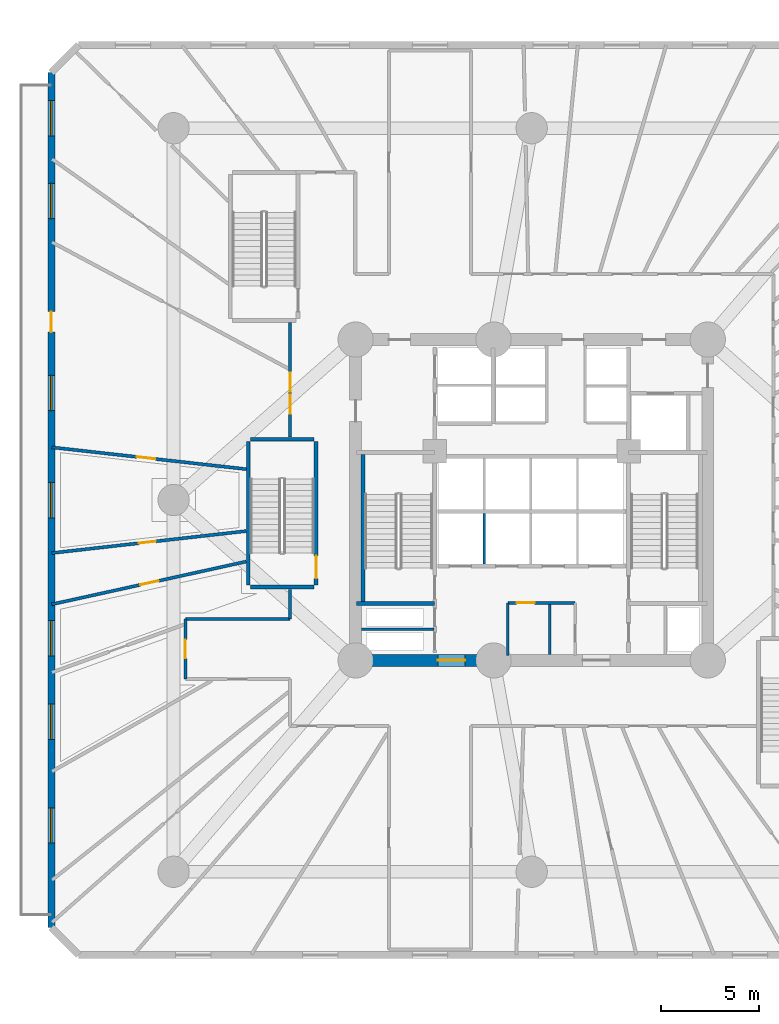
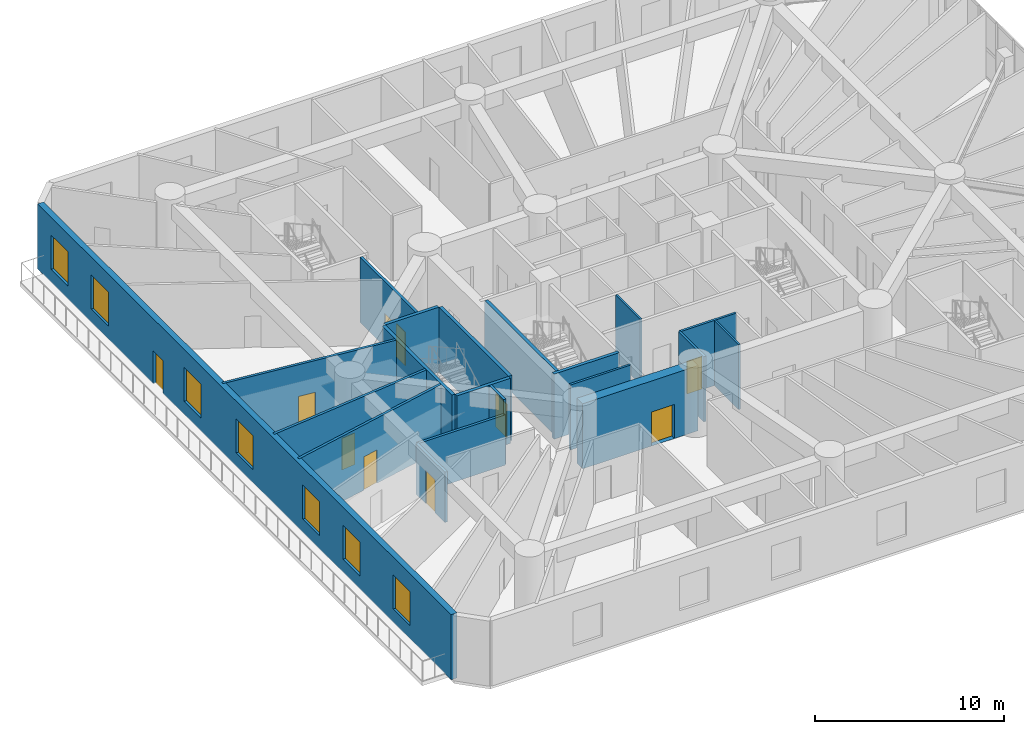
# One storey, part 14 of 26: 20 walls, 10 doors, 7 windows, 17 openings.
"""IFC4 building model written with IfcOpenShell, lengths in metres."""

from ifc_helpers import new_model, si_unit, direction, frame, frame_2d, origin, origin_with_axes, place, context, subcontext, project, spatial, rectangle, extrude, source, transform, mapped, material, layer, layer_set, type_object, element, fill, save


model = new_model("IFC4")

# Units and contexts
model_context = context("Model", 3, precision=1e-05, world=origin(), true_north=direction((0.0, 1.0)))
body_context = subcontext(model_context, "Body", "Model", "MODEL_VIEW")
ifc_project = project(units=[si_unit("LENGTHUNIT", "METRE"), si_unit("AREAUNIT", "SQUARE_METRE"), si_unit("VOLUMEUNIT", "CUBIC_METRE"), si_unit("PLANEANGLEUNIT", "RADIAN"), si_unit("MASSUNIT", "GRAM", prefix="KILO")], contexts=[model_context])

# Site, building, storey
site_placement = place(None, origin())
site = spatial("IfcSite", under=ifc_project, at=site_placement, CompositionType="ELEMENT")
building_placement = place(site_placement, origin())
building = spatial("IfcBuilding", under=site, at=building_placement, Name="Karkom Vertical University and Central Library", CompositionType="ELEMENT")
storey_placement = place(building_placement, frame((0.0, 0.0, 9.0)))
storey = spatial("IfcBuildingStorey", under=building, at=storey_placement, Name="L02", CompositionType="ELEMENT", Elevation=9.0)

# Wall, openings, windows, door
ifc_material_1 = material(Name="Brick masonry 360mm insulated cavity", Category="masonry")
ifc_layer_1 = layer(ifc_material_1, 0.360107421875)
ifc_layer_set_1 = layer_set([ifc_layer_1], Name="Brick masonry 360mm insulated cavity")
wall_type_1 = type_object("IfcWallType", Name="ENV-WL-BRK-360", PredefinedType="SOLIDWALL", material=ifc_layer_set_1)
wall_1_placement = place(storey_placement, frame((3.949951171875, 48.35009765625, 0.0), z_axis=(0.0, 0.0, 1.0), x_axis=(0.0, -1.0, 0.0)))
wall_1 = element("IfcWall", 1, at=wall_1_placement, inside=storey, type_object=wall_type_1, Name="Level 02 POD Terracotta Brick Facade Wall 07", PredefinedType="SOLIDWALL", context=body_context, shape_type="SweptSolid", body=[
    extrude(rectangle(XDim=43.7001953125, YDim=0.360107421875, at=frame_2d((21.85009765625, 0.0))), origin(), (0.0, 0.0, 1.0), 4.199951171875),
])
opening_1_placement = place(wall_1_placement, frame((1.43896484375, 0.0, 0.85009765625)))
opening_1 = element("IfcOpeningElement", 2, at=opening_1_placement, cuts=wall_1, Name="Opening WN-01", PredefinedType="OPENING", context=body_context, shape_type="SweptSolid", body=[
    extrude(rectangle(XDim=1.800048828125, YDim=2.199951171875, at=frame_2d((0.89990234375, 1.10009765625))), frame((0.0, 0.18994140625, 0.0), z_axis=(0.0, -1.0, 0.0), x_axis=(1.0, 0.0, 0.0)), (0.0, 0.0, 1.0), 0.380126953125),
])
opening_2_placement = place(wall_1_placement, frame((5.66943359375, 0.0, 0.85009765625)))
opening_2 = element("IfcOpeningElement", 3, at=opening_2_placement, cuts=wall_1, Name="Opening WN-01", PredefinedType="OPENING", context=body_context, shape_type="SweptSolid", body=[
    extrude(rectangle(XDim=1.800048828125, YDim=2.199951171875, at=frame_2d((0.89990234375, 1.10009765625))), frame((0.0, 0.18994140625, 0.0), z_axis=(0.0, -1.0, 0.0), x_axis=(1.0, 0.0, 0.0)), (0.0, 0.0, 1.0), 0.380126953125),
])
opening_3_placement = place(wall_1_placement, frame((15.485107421875, 0.0, 0.85009765625)))
opening_3 = element("IfcOpeningElement", 4, at=opening_3_placement, cuts=wall_1, Name="Opening WN-01", PredefinedType="OPENING", context=body_context, shape_type="SweptSolid", body=[
    extrude(rectangle(XDim=1.800048828125, YDim=2.199951171875, at=frame_2d((0.89990234375, 1.10009765625))), frame((0.0, 0.18994140625, 0.0), z_axis=(0.0, -1.0, 0.0), x_axis=(1.0, 0.0, 0.0)), (0.0, 0.0, 1.0), 0.380126953125),
])
opening_4_placement = place(wall_1_placement, frame((20.96044921875, 0.0, 0.85009765625)))
opening_4 = element("IfcOpeningElement", 5, at=opening_4_placement, cuts=wall_1, Name="Opening WN-01", PredefinedType="OPENING", context=body_context, shape_type="SweptSolid", body=[
    extrude(rectangle(XDim=1.800048828125, YDim=2.199951171875, at=frame_2d((0.89990234375, 1.10009765625))), frame((0.0, 0.18994140625, 0.0), z_axis=(0.0, -1.0, 0.0), x_axis=(1.0, 0.0, 0.0)), (0.0, 0.0, 1.0), 0.380126953125),
])
opening_5_placement = place(wall_1_placement, frame((28.012451171875, 0.0, 0.85009765625)))
opening_5 = element("IfcOpeningElement", 6, at=opening_5_placement, cuts=wall_1, Name="Opening WN-01", PredefinedType="OPENING", context=body_context, shape_type="SweptSolid", body=[
    extrude(rectangle(XDim=1.800048828125, YDim=2.199951171875, at=frame_2d((0.89990234375, 1.10009765625))), frame((0.0, 0.18994140625, 0.0), z_axis=(0.0, -1.0, 0.0), x_axis=(1.0, 0.0, 0.0)), (0.0, 0.0, 1.0), 0.380126953125),
])
opening_6_placement = place(wall_1_placement, frame((32.279296875, 0.0, 0.85009765625)))
opening_6 = element("IfcOpeningElement", 7, at=opening_6_placement, cuts=wall_1, Name="Opening WN-01", PredefinedType="OPENING", context=body_context, shape_type="SweptSolid", body=[
    extrude(rectangle(XDim=1.800048828125, YDim=2.199951171875, at=frame_2d((0.89990234375, 1.10009765625))), frame((0.0, 0.18994140625, 0.0), z_axis=(0.0, -1.0, 0.0), x_axis=(1.0, 0.0, 0.0)), (0.0, 0.0, 1.0), 0.380126953125),
])
opening_7_placement = place(wall_1_placement, frame((37.578125, 0.0, 0.85009765625)))
opening_7 = element("IfcOpeningElement", 8, at=opening_7_placement, cuts=wall_1, Name="Opening WN-01", PredefinedType="OPENING", context=body_context, shape_type="SweptSolid", body=[
    extrude(rectangle(XDim=1.800048828125, YDim=2.199951171875, at=frame_2d((0.89990234375, 1.10009765625))), frame((0.0, 0.18994140625, 0.0), z_axis=(0.0, -1.0, 0.0), x_axis=(1.0, 0.0, 0.0)), (0.0, 0.0, 1.0), 0.380126953125),
])
opening_8_placement = place(wall_1_placement, frame((12.220703125, 0.0, 0.0)))
opening_8 = element("IfcOpeningElement", 9, at=opening_8_placement, cuts=wall_1, Name="Opening TD-1", PredefinedType="OPENING", context=body_context, shape_type="SweptSolid", body=[
    extrude(rectangle(XDim=1.050048828125, YDim=2.1201171875, at=frame_2d((0.52490234375, 1.06005859375))), frame((0.0, 0.18994140625, 0.0), z_axis=(0.0, -1.0, 0.0), x_axis=(1.0, 0.0, 0.0)), (0.0, 0.0, 1.0), 0.380126953125),
])
ifc_material_2 = material(Name="Aluminium thermal-break frame with solar-control IGU", Category="aluminium")
window_type = type_object("IfcWindowType", Name="ENV-WIN-WN-01", PartitioningType="SINGLE_PANEL", PredefinedType="WINDOW", material=ifc_material_2)
shared_shape_1 = source(origin_with_axes(), body_context, "Body", "SweptSolid", [
    extrude(rectangle(XDim=1.800048828125, YDim=2.199951171875, at=frame_2d((0.89990234375, 1.10009765625))), frame((0.0, 0.030029296875, 0.0), z_axis=(0.0, -1.0, 0.0), x_axis=(1.0, 0.0, 0.0)), (0.0, 0.0, 1.0), 0.06005859375),
])
window_1_placement = place(opening_1_placement, origin())
window_1 = element("IfcWindow", 10, at=window_1_placement, inside=storey, type_object=window_type, Name="Level 02 POD Punched Window 01", OverallHeight=2.199951171875, OverallWidth=1.800048828125, PartitioningType="SINGLE_PANEL", PredefinedType="WINDOW", context=body_context, shape_type="MappedRepresentation", body=[
    mapped(shared_shape_1, transform((0.0, 0.0, 0.0), scale=1.0)),
])
fill(opening_1, window_1)
window_2_placement = place(opening_2_placement, origin())
window_2 = element("IfcWindow", 11, at=window_2_placement, inside=storey, type_object=window_type, Name="Level 02 POD Punched Window 02", OverallHeight=2.199951171875, OverallWidth=1.800048828125, PartitioningType="SINGLE_PANEL", PredefinedType="WINDOW", context=body_context, shape_type="MappedRepresentation", body=[
    mapped(shared_shape_1, transform((0.0, 0.0, 0.0), scale=1.0)),
])
fill(opening_2, window_2)
window_3_placement = place(opening_3_placement, origin())
window_3 = element("IfcWindow", 12, at=window_3_placement, inside=storey, type_object=window_type, Name="Level 02 POD Punched Window 04", OverallHeight=2.199951171875, OverallWidth=1.800048828125, PartitioningType="SINGLE_PANEL", PredefinedType="WINDOW", context=body_context, shape_type="MappedRepresentation", body=[
    mapped(shared_shape_1, transform((0.0, 0.0, 0.0), scale=1.0)),
])
fill(opening_3, window_3)
window_4_placement = place(opening_4_placement, origin())
window_4 = element("IfcWindow", 13, at=window_4_placement, inside=storey, type_object=window_type, Name="Level 02 POD Punched Window 05", OverallHeight=2.199951171875, OverallWidth=1.800048828125, PartitioningType="SINGLE_PANEL", PredefinedType="WINDOW", context=body_context, shape_type="MappedRepresentation", body=[
    mapped(shared_shape_1, transform((0.0, 0.0, 0.0), scale=1.0)),
])
fill(opening_4, window_4)
window_5_placement = place(opening_5_placement, origin())
window_5 = element("IfcWindow", 14, at=window_5_placement, inside=storey, type_object=window_type, Name="Level 02 POD Punched Window 06", OverallHeight=2.199951171875, OverallWidth=1.800048828125, PartitioningType="SINGLE_PANEL", PredefinedType="WINDOW", context=body_context, shape_type="MappedRepresentation", body=[
    mapped(shared_shape_1, transform((0.0, 0.0, 0.0), scale=1.0)),
])
fill(opening_5, window_5)
window_6_placement = place(opening_6_placement, origin())
window_6 = element("IfcWindow", 15, at=window_6_placement, inside=storey, type_object=window_type, Name="Level 02 POD Punched Window 07", OverallHeight=2.199951171875, OverallWidth=1.800048828125, PartitioningType="SINGLE_PANEL", PredefinedType="WINDOW", context=body_context, shape_type="MappedRepresentation", body=[
    mapped(shared_shape_1, transform((0.0, 0.0, 0.0), scale=1.0)),
])
fill(opening_6, window_6)
window_7_placement = place(opening_7_placement, origin())
window_7 = element("IfcWindow", 16, at=window_7_placement, inside=storey, type_object=window_type, Name="Level 02 POD Punched Window 08", OverallHeight=2.199951171875, OverallWidth=1.800048828125, PartitioningType="SINGLE_PANEL", PredefinedType="WINDOW", context=body_context, shape_type="MappedRepresentation", body=[
    mapped(shared_shape_1, transform((0.0, 0.0, 0.0), scale=1.0)),
])
fill(opening_7, window_7)
ifc_material_3 = material(Name="Thermally broken glazed aluminium terrace door", Category="aluminium")
door_type_1 = type_object("IfcDoorType", Name="ENV-DR-TERR", OperationType="NOTDEFINED", PredefinedType="DOOR", material=ifc_material_3)
shared_shape_2 = source(origin_with_axes(), body_context, "Body", "SweptSolid", [
    extrude(rectangle(XDim=1.050048828125, YDim=2.1201171875, at=frame_2d((0.52490234375, 1.06005859375))), frame((0.0, 0.02490234375, 0.0), z_axis=(0.0, -1.0, 0.0), x_axis=(1.0, 0.0, 0.0)), (0.0, 0.0, 1.0), 0.050048828125),
])
door_1_placement = place(opening_8_placement, origin())
door_1 = element("IfcDoor", 17, at=door_1_placement, inside=storey, type_object=door_type_1, Name="Level 02 Outdoor Terrace Access Door", OperationType="SINGLE_SWING_LEFT", OverallHeight=2.1201171875, OverallWidth=1.050048828125, PredefinedType="DOOR", context=body_context, shape_type="MappedRepresentation", body=[
    mapped(shared_shape_2, transform((0.0, 0.0, 0.0), scale=1.0)),
])
fill(opening_8, door_1)

# Wall, opening, door
ifc_material_4 = material(Name="Insulated metal-stud drywall 160mm", Category="gypsum")
ifc_layer_2 = layer(ifc_material_4, 0.159912109375)
ifc_layer_set_2 = layer_set([ifc_layer_2], Name="Insulated metal-stud drywall 160mm")
wall_type_2 = type_object("IfcWallType", Name="INT-WL-COR-160", PredefinedType="PARTITIONING", material=ifc_layer_set_2)
wall_2_placement = place(storey_placement, frame((13.9130859375, 23.35400390625, 0.0), z_axis=(0.0, 0.0, 1.0), x_axis=(-0.976669637868, -0.214747336346, 0.0)))
wall_2 = element("IfcWall", 18, at=wall_2_placement, inside=storey, type_object=wall_type_2, Name="Level 02 Interior Partition Wall Level 02-PODW-02-03-1", PredefinedType="PARTITIONING", context=body_context, shape_type="SweptSolid", body=[
    extrude(rectangle(XDim=10.173828125, YDim=0.159912109375, at=frame_2d((5.0869140625, 0.0))), origin(), (0.0, 0.0, 1.0), 4.199951171875),
])
opening_9_placement = place(wall_2_placement, frame((4.594482421875, 0.0, 0.0)))
opening_9 = element("IfcOpeningElement", 19, at=opening_9_placement, cuts=wall_2, Name="Opening FD-RM2", PredefinedType="OPENING", context=body_context, shape_type="SweptSolid", body=[
    extrude(rectangle(XDim=0.9599609375, YDim=2.14990234375, at=frame_2d((0.47998046875, 1.074951171875))), frame((0.0, 0.08984375, 0.0), z_axis=(0.0, -1.0, 0.0), x_axis=(1.0, 0.0, 0.0)), (0.0, 0.0, 1.0), 0.179931640625),
])
ifc_material_5 = material(Name="Fire-rated oak veneer door", Category="wood")
door_type_2 = type_object("IfcDoorType", Name="INT-DR-FRM2", OperationType="NOTDEFINED", PredefinedType="DOOR", material=ifc_material_5)
shared_shape_3 = source(origin_with_axes(), body_context, "Body", "SweptSolid", [
    extrude(rectangle(XDim=0.9599609375, YDim=2.14990234375, at=frame_2d((0.47998046875, 1.074951171875))), frame((0.0, 0.02490234375, 0.0), z_axis=(0.0, -1.0, 0.0), x_axis=(1.0, 0.0, 0.0)), (0.0, 0.0, 1.0), 0.050048828125),
])
door_2_placement = place(opening_9_placement, origin())
door_2 = element("IfcDoor", 20, at=door_2_placement, inside=storey, type_object=door_type_2, Name="Level 02 Room Entry Door 801", OperationType="SINGLE_SWING_RIGHT", OverallHeight=2.14990234375, OverallWidth=0.9599609375, PredefinedType="DOOR", context=body_context, shape_type="MappedRepresentation", body=[
    mapped(shared_shape_3, transform((0.0, 0.0, 0.0), scale=1.0)),
])
fill(opening_9, door_2)

wall_3_placement = place(storey_placement, frame((13.9130859375, 24.91162109375, 0.0), z_axis=(0.0, 0.0, 1.0), x_axis=(-0.993672362641, -0.112317566405, 0.0)))
wall_3 = element("IfcWall", 21, at=wall_3_placement, inside=storey, type_object=wall_type_2, Name="Level 02 Interior Partition Wall Level 02-PODW-01-02-1", PredefinedType="PARTITIONING", context=body_context, shape_type="SweptSolid", body=[
    extrude(rectangle(XDim=10.0009765625, YDim=0.159912109375, at=frame_2d((5.00048828125, 0.0))), origin(), (0.0, 0.0, 1.0), 4.199951171875),
])
opening_10_placement = place(wall_3_placement, frame((4.660400390625, 0.0, 0.0)))
opening_10 = element("IfcOpeningElement", 22, at=opening_10_placement, cuts=wall_3, Name="Opening FD-BTH2", PredefinedType="OPENING", context=body_context, shape_type="SweptSolid", body=[
    extrude(rectangle(XDim=0.860107421875, YDim=2.0400390625, at=frame_2d((0.43017578125, 1.02001953125))), frame((0.0, 0.08984375, 0.0), z_axis=(0.0, -1.0, 0.0), x_axis=(1.0, 0.0, 0.0)), (0.0, 0.0, 1.0), 0.179931640625),
])
ifc_material_6 = material(Name="Fire-rated moisture-resistant oak door", Category="wood")
door_type_3 = type_object("IfcDoorType", Name="INT-DR-FBTH2", OperationType="NOTDEFINED", PredefinedType="DOOR", material=ifc_material_6)
shared_shape_4 = source(origin_with_axes(), body_context, "Body", "SweptSolid", [
    extrude(rectangle(XDim=0.860107421875, YDim=2.0400390625, at=frame_2d((0.43017578125, 1.02001953125))), frame((0.0, 0.02490234375, 0.0), z_axis=(0.0, -1.0, 0.0), x_axis=(1.0, 0.0, 0.0)), (0.0, 0.0, 1.0), 0.050048828125),
])
door_3_placement = place(opening_10_placement, origin())
door_3 = element("IfcDoor", 23, at=door_3_placement, inside=storey, type_object=door_type_3, Name="Level 02 Digital Fabrication Classroom Entry Door", OperationType="SINGLE_SWING_LEFT", OverallHeight=2.0400390625, OverallWidth=0.860107421875, PredefinedType="DOOR", context=body_context, shape_type="MappedRepresentation", body=[
    mapped(shared_shape_4, transform((0.0, 0.0, 0.0), scale=1.0)),
])
fill(opening_10, door_3)

wall_4_placement = place(storey_placement, frame((3.975341796875, 29.19091796875, 0.0), z_axis=(0.0, 0.0, 1.0), x_axis=(0.993764244895, -0.111501684152, 0.0)))
wall_4 = element("IfcWall", 24, at=wall_4_placement, inside=storey, type_object=wall_type_2, Name="Level 02 Interior Partition Wall Level 02-PODW-01-44-1", PredefinedType="PARTITIONING", context=body_context, shape_type="SweptSolid", body=[
    extrude(rectangle(XDim=10.01513671875, YDim=0.159912109375, at=frame_2d((5.007568359375, 0.0))), origin(), (0.0, 0.0, 1.0), 4.199951171875),
])
opening_11_placement = place(wall_4_placement, frame((4.367431640625, 0.0, 0.0)))
opening_11 = element("IfcOpeningElement", 25, at=opening_11_placement, cuts=wall_4, Name="Opening FD-RM2", PredefinedType="OPENING", context=body_context, shape_type="SweptSolid", body=[
    extrude(rectangle(XDim=0.9599609375, YDim=2.14990234375, at=frame_2d((0.47998046875, 1.074951171875))), frame((0.0, 0.08984375, 0.0), z_axis=(0.0, -1.0, 0.0), x_axis=(1.0, 0.0, 0.0)), (0.0, 0.0, 1.0), 0.179931640625),
])
door_4_placement = place(opening_11_placement, origin())
door_4 = element("IfcDoor", 26, at=door_4_placement, inside=storey, type_object=door_type_2, Name="Level 02 Room Entry Door 800", OperationType="SINGLE_SWING_LEFT", OverallHeight=2.14990234375, OverallWidth=0.9599609375, PredefinedType="DOOR", context=body_context, shape_type="MappedRepresentation", body=[
    mapped(shared_shape_3, transform((0.0, 0.0, 0.0), scale=1.0)),
])
fill(opening_11, door_4)

# Wall, openings, doors
wall_5_placement = place(storey_placement, frame((16.14990234375, 29.7119140625, 0.0), z_axis=(0.0, 0.0, 1.0), x_axis=(0.0, 1.0, 0.0)))
wall_5 = element("IfcWall", 27, at=wall_5_placement, inside=storey, type_object=wall_type_2, Name="Level 02 Interior Partition Wall Level 02-PDCW-CW-001", PredefinedType="PARTITIONING", context=body_context, shape_type="SweptSolid", body=[
    extrude(rectangle(XDim=5.86083984375, YDim=0.159912109375, at=frame_2d((2.930419921875, 0.0))), origin(), (0.0, 0.0, 1.0), 4.199951171875),
])
opening_12_placement = place(wall_5_placement, frame((2.32958984375, 0.0, 0.0)))
opening_12 = element("IfcOpeningElement", 28, at=opening_12_placement, cuts=wall_5, Name="Opening FD-RM2", PredefinedType="OPENING", context=body_context, shape_type="SweptSolid", body=[
    extrude(rectangle(XDim=0.9599609375, YDim=2.14990234375, at=frame_2d((0.47998046875, 1.074951171875))), frame((0.0, 0.08984375, 0.0), z_axis=(0.0, -1.0, 0.0), x_axis=(1.0, 0.0, 0.0)), (0.0, 0.0, 1.0), 0.179931640625),
])
opening_13_placement = place(wall_5_placement, frame((1.199951171875, 0.0, 0.0)))
opening_13 = element("IfcOpeningElement", 29, at=opening_13_placement, cuts=wall_5, Name="Opening FD-RM2", PredefinedType="OPENING", context=body_context, shape_type="SweptSolid", body=[
    extrude(rectangle(XDim=0.9599609375, YDim=2.14990234375, at=frame_2d((0.47998046875, 1.074951171875))), frame((0.0, 0.08984375, 0.0), z_axis=(0.0, -1.0, 0.0), x_axis=(1.0, 0.0, 0.0)), (0.0, 0.0, 1.0), 0.179931640625),
])
door_5_placement = place(opening_12_placement, origin())
door_5 = element("IfcDoor", 30, at=door_5_placement, inside=storey, type_object=door_type_2, Name="Level 02 Room Entry Door 841", OperationType="SINGLE_SWING_LEFT", OverallHeight=2.14990234375, OverallWidth=0.9599609375, PredefinedType="DOOR", context=body_context, shape_type="MappedRepresentation", body=[
    mapped(shared_shape_3, transform((0.0, 0.0, 0.0), scale=1.0)),
])
fill(opening_12, door_5)
door_6_placement = place(opening_13_placement, origin())
door_6 = element("IfcDoor", 31, at=door_6_placement, inside=storey, type_object=door_type_2, Name="Level 02 Room Entry Door 842", OperationType="SINGLE_SWING_RIGHT", OverallHeight=2.14990234375, OverallWidth=0.9599609375, PredefinedType="DOOR", context=body_context, shape_type="MappedRepresentation", body=[
    mapped(shared_shape_3, transform((0.0, 0.0, 0.0), scale=1.0)),
])
fill(opening_13, door_6)

# Wall
wall_6_placement = place(storey_placement, frame((10.800048828125, 20.419921875, 0.0), z_axis=(0.0, 0.0, 1.0), x_axis=(1.0, 0.0, 0.0)))
element("IfcWall", 32, at=wall_6_placement, inside=storey, type_object=wall_type_2, Name="Level 02 Interior Partition Wall Level 02-PDCW-CW-018", PredefinedType="PARTITIONING", context=body_context, shape_type="SweptSolid", body=[
    extrude(rectangle(XDim=5.349853515625, YDim=0.159912109375, at=frame_2d((2.6748046875, 0.0))), origin(), (0.0, 0.0, 1.0), 3.25),
])

# Wall, opening, door
wall_7_placement = place(storey_placement, frame((10.800048828125, 17.35009765625, 0.0), z_axis=(0.0, 0.0, 1.0), x_axis=(0.0, 1.0, 0.0)))
wall_7 = element("IfcWall", 33, at=wall_7_placement, inside=storey, type_object=wall_type_2, Name="Level 02 Interior Partition Wall Level 02-PDCW-CW-017", PredefinedType="PARTITIONING", context=body_context, shape_type="SweptSolid", body=[
    extrude(rectangle(XDim=3.06982421875, YDim=0.159912109375, at=frame_2d((1.534912109375, 0.0))), origin(), (0.0, 0.0, 1.0), 3.25),
])
opening_14_placement = place(wall_7_placement, frame((1.06005859375, 0.0, 0.0)))
opening_14 = element("IfcOpeningElement", 34, at=opening_14_placement, cuts=wall_7, Name="Opening FD-RM2", PredefinedType="OPENING", context=body_context, shape_type="SweptSolid", body=[
    extrude(rectangle(XDim=0.9599609375, YDim=2.14990234375, at=frame_2d((0.47998046875, 1.074951171875))), frame((0.0, 0.08984375, 0.0), z_axis=(0.0, -1.0, 0.0), x_axis=(1.0, 0.0, 0.0)), (0.0, 0.0, 1.0), 0.179931640625),
])
door_7_placement = place(opening_14_placement, origin())
door_7 = element("IfcDoor", 35, at=door_7_placement, inside=storey, type_object=door_type_2, Name="Level 02 Room Entry Door 803", OperationType="SINGLE_SWING_RIGHT", OverallHeight=2.14990234375, OverallWidth=0.9599609375, PredefinedType="DOOR", context=body_context, shape_type="MappedRepresentation", body=[
    mapped(shared_shape_3, transform((0.0, 0.0, 0.0), scale=1.0)),
])
fill(opening_14, door_7)

# Walls
wall_8_placement = place(storey_placement, frame((16.14990234375, 20.419921875, 0.0), z_axis=(0.0, 0.0, 1.0), x_axis=(0.0, 1.0, 0.0)))
element("IfcWall", 36, at=wall_8_placement, inside=storey, type_object=wall_type_2, Name="Level 02 Interior Partition Wall Level 02-PDCW-CW-019", PredefinedType="PARTITIONING", context=body_context, shape_type="SweptSolid", body=[
    extrude(rectangle(XDim=1.51806640625, YDim=0.159912109375, at=frame_2d((0.759033203125, 0.0))), origin(), (0.0, 0.0, 1.0), 4.199951171875),
])
ifc_material_7 = material(Name="Moisture-resistant drywall 120mm", Category="gypsum")
ifc_layer_3 = layer(ifc_material_7, 0.1201171875)
ifc_layer_set_3 = layer_set([ifc_layer_3], Name="Moisture-resistant drywall 120mm")
wall_type_3 = type_object("IfcWallType", Name="INT-WL-INT-120", PredefinedType="PARTITIONING", material=ifc_layer_set_3)
wall_9_placement = place(storey_placement, frame((29.419921875, 18.60693359375, 0.0), z_axis=(0.0, 0.0, 1.0), x_axis=(0.0, 1.0, 0.0)))
element("IfcWall", 37, at=wall_9_placement, inside=storey, type_object=wall_type_3, Name="Level 02 Interior Partition Wall Level 02-CW-K3-DIV", PredefinedType="PARTITIONING", context=body_context, shape_type="SweptSolid", body=[
    extrude(rectangle(XDim=2.560302734375, YDim=0.1201171875, at=frame_2d((1.2802734375, 0.0))), origin(), (0.0, 0.0, 1.0), 4.199951171875),
])
ifc_layer_4 = layer(ifc_material_7, 0.1201171875)
ifc_layer_set_4 = layer_set([ifc_layer_4], Name="Moisture-resistant drywall 120mm")
wall_type_4 = type_object("IfcWallType", Name="INT-WL-INT-120H", PredefinedType="PARTITIONING", material=ifc_layer_set_4)
wall_10_placement = place(storey_placement, frame((26.080078125, 23.219970703125, 0.0), z_axis=(0.0, 0.0, 1.0), x_axis=(0.0, 1.0, 0.0)))
element("IfcWall", 38, at=wall_10_placement, inside=storey, type_object=wall_type_4, Name="Level 02 Interior Partition Wall Level 02-CW-PL-DIV1", PredefinedType="PARTITIONING", context=body_context, shape_type="SweptSolid", body=[
    extrude(rectangle(XDim=2.60009765625, YDim=0.1201171875, at=frame_2d((1.300048828125, 0.0))), origin(), (0.0, 0.0, 1.0), 4.199951171875),
])

# Wall, opening, door
ifc_material_8 = material(Name="Metal-stud gypsum partition 140mm", Category="gypsum")
ifc_layer_5 = layer(ifc_material_8, 0.139892578125)
ifc_layer_set_5 = layer_set([ifc_layer_5], Name="Metal-stud gypsum partition 140mm")
wall_type_5 = type_object("IfcWallType", Name="INT-WL-SUB-140", PredefinedType="PARTITIONING", material=ifc_layer_set_5)
wall_11_placement = place(storey_placement, frame((27.280029296875, 21.239990234375, 0.0), z_axis=(0.0, 0.0, 1.0), x_axis=(1.0, 0.0, 0.0)))
wall_11 = element("IfcWall", 39, at=wall_11_placement, inside=storey, type_object=wall_type_5, Name="Level 02 Interior Partition Wall Level 02-CW-KBAY-N", PredefinedType="PARTITIONING", context=body_context, shape_type="SweptSolid", body=[
    extrude(rectangle(XDim=3.43994140625, YDim=0.139892578125, at=frame_2d((1.719970703125, 0.0))), origin(), (0.0, 0.0, 1.0), 4.199951171875),
])
opening_15_placement = place(wall_11_placement, frame((0.449951171875, 0.0, 0.0)))
opening_15 = element("IfcOpeningElement", 40, at=opening_15_placement, cuts=wall_11, Name="Opening D-SVC1", PredefinedType="OPENING", context=body_context, shape_type="SweptSolid", body=[
    extrude(rectangle(XDim=0.919921875, YDim=2.10009765625, at=frame_2d((0.4599609375, 1.050048828125))), frame((0.0, 0.080078125, 0.0), z_axis=(0.0, -1.0, 0.0), x_axis=(1.0, 0.0, 0.0)), (0.0, 0.0, 1.0), 0.159912109375),
])
ifc_material_9 = material(Name="Painted timber service door", Category="wood")
door_type_4 = type_object("IfcDoorType", Name="INT-DR-SVC1", OperationType="NOTDEFINED", PredefinedType="DOOR", material=ifc_material_9)
shared_shape_5 = source(origin_with_axes(), body_context, "Body", "SweptSolid", [
    extrude(rectangle(XDim=0.919921875, YDim=2.10009765625, at=frame_2d((0.4599609375, 1.050048828125))), frame((0.0, 0.02490234375, 0.0), z_axis=(0.0, -1.0, 0.0), x_axis=(1.0, 0.0, 0.0)), (0.0, 0.0, 1.0), 0.050048828125),
])
door_8_placement = place(opening_15_placement, origin())
door_8 = element("IfcDoor", 41, at=door_8_placement, inside=storey, type_object=door_type_4, Name="Level 02 Copy Room Door", OperationType="SINGLE_SWING_LEFT", OverallHeight=2.10009765625, OverallWidth=0.919921875, PredefinedType="DOOR", context=body_context, shape_type="MappedRepresentation", body=[
    mapped(shared_shape_5, transform((0.0, 0.0, 0.0), scale=1.0)),
])
fill(opening_15, door_8)

# Walls
wall_12_placement = place(storey_placement, frame((27.280029296875, 18.550048828125, 0.0), z_axis=(0.0, 0.0, 1.0), x_axis=(0.0, 1.0, 0.0)))
element("IfcWall", 42, at=wall_12_placement, inside=storey, type_object=wall_type_5, Name="Level 02 Interior Partition Wall Level 02-CW-KBAY-W", PredefinedType="PARTITIONING", context=body_context, shape_type="SweptSolid", body=[
    extrude(rectangle(XDim=2.68994140625, YDim=0.139892578125, at=frame_2d((1.344970703125, 0.0))), origin(), (0.0, 0.0, 1.0), 4.199951171875),
])
ifc_layer_6 = layer(ifc_material_8, 0.139892578125)
ifc_layer_set_6 = layer_set([ifc_layer_6], Name="Metal-stud gypsum partition 140mm")
wall_type_6 = type_object("IfcWallType", Name="INT-WL-SUB-140H", PredefinedType="PARTITIONING", material=ifc_layer_set_6)
wall_13_placement = place(storey_placement, frame((19.806884765625, 19.889892578125, 0.0), z_axis=(0.0, 0.0, 1.0), x_axis=(1.0, 0.0, 0.0)))
element("IfcWall", 43, at=wall_13_placement, inside=storey, type_object=wall_type_6, Name="Level 02 Interior Partition Wall Level 02-CW-RIS-W", PredefinedType="PARTITIONING", context=body_context, shape_type="SweptSolid", body=[
    extrude(rectangle(XDim=3.68896484375, YDim=0.139892578125, at=frame_2d((1.844482421875, 0.0))), origin(), (0.0, 0.0, 1.0), 4.199951171875),
])

# Wall, opening, door
ifc_material_10 = material(Name="Concrete C50/60", Category="concrete")
ifc_layer_7 = layer(ifc_material_10, 0.60009765625)
ifc_layer_set_7 = layer_set([ifc_layer_7], Name="Concrete C50/60")
wall_type_7 = type_object("IfcWallType", Name="STR-WL-CW-600", PredefinedType="SHEAR", material=ifc_layer_set_7)
wall_14_placement = place(storey_placement, frame((19.5, 18.300048828125, 0.0), z_axis=(0.0, 0.0, 1.0), x_axis=(1.0, 0.0, 0.0)))
wall_14 = element("IfcWall", 44, at=wall_14_placement, inside=storey, type_object=wall_type_7, Name="Level 02 Central Core Shear Wall SW1", PredefinedType="SHEAR", context=body_context, shape_type="SweptSolid", body=[
    extrude(rectangle(XDim=7.050048828125, YDim=0.60009765625, at=frame_2d((3.52490234375, 0.0))), origin(), (0.0, 0.0, 1.0), 4.199951171875),
])
opening_16_placement = place(wall_14_placement, frame((4.199951171875, 0.0, 0.0)))
opening_16 = element("IfcOpeningElement", 45, at=opening_16_placement, cuts=wall_14, Name="Opening FD-CLB", PredefinedType="OPENING", context=body_context, shape_type="SweptSolid", body=[
    extrude(rectangle(XDim=1.39990234375, YDim=2.199951171875, at=frame_2d((0.699951171875, 1.10009765625))), frame((0.0, 0.31005859375, 0.0), z_axis=(0.0, -1.0, 0.0), x_axis=(1.0, 0.0, 0.0)), (0.0, 0.0, 1.0), 0.6201171875),
])
ifc_material_11 = material(Name="Painted steel fire door", Category="steel")
door_type_5 = type_object("IfcDoorType", Name="INT-DR-CLB", OperationType="DOUBLE_DOOR_SINGLE_SWING", PredefinedType="DOOR", material=ifc_material_11)
shared_shape_6 = source(origin_with_axes(), body_context, "Body", "SweptSolid", [
    extrude(rectangle(XDim=1.39990234375, YDim=2.199951171875, at=frame_2d((0.699951171875, 1.10009765625))), frame((0.0, 0.02490234375, 0.0), z_axis=(0.0, -1.0, 0.0), x_axis=(1.0, 0.0, 0.0)), (0.0, 0.0, 1.0), 0.050048828125),
])
door_9_placement = place(opening_16_placement, origin())
door_9 = element("IfcDoor", 46, at=door_9_placement, inside=storey, type_object=door_type_5, Name="Level 02 South Core Lobby West Exit Door", OperationType="DOUBLE_DOOR_SINGLE_SWING", OverallHeight=2.199951171875, OverallWidth=1.39990234375, PredefinedType="DOOR", context=body_context, shape_type="MappedRepresentation", body=[
    mapped(shared_shape_6, transform((0.0, 0.0, 0.0), scale=1.0)),
])
fill(opening_16, door_9)

# Walls
ifc_material_12 = material(Name="Concrete C45/55", Category="concrete")
ifc_layer_8 = layer(ifc_material_12, 0.199951171875)
ifc_layer_set_8 = layer_set([ifc_layer_8], Name="Concrete C45/55")
wall_type_8 = type_object("IfcWallType", Name="STR-WL-ST-200", PredefinedType="SHEAR", material=ifc_layer_set_8)
wall_15_placement = place(storey_placement, frame((19.875, 21.320068359375, 0.0), z_axis=(0.0, 0.0, 1.0), x_axis=(0.0, 1.0, 0.0)))
element("IfcWall", 47, at=wall_15_placement, inside=storey, type_object=wall_type_8, Name="Level 02 Core Shaft Wall Level 02-CW-ST1-W", PredefinedType="SHEAR", context=body_context, shape_type="SweptSolid", body=[
    extrude(rectangle(XDim=7.5, YDim=0.199951171875, at=frame_2d((3.75, 0.0))), origin(), (0.0, 0.0, 1.0), 4.199951171875),
])
wall_16_placement = place(storey_placement, frame((14.014892578125, 22.14990234375, 0.0), z_axis=(0.0, 0.0, 1.0), x_axis=(0.0, 1.0, 0.0)))
element("IfcWall", 48, at=wall_16_placement, inside=storey, type_object=wall_type_8, Name="Level 02 Core Shaft Wall Level 02-W-ST3-W", PredefinedType="SHEAR", context=body_context, shape_type="SweptSolid", body=[
    extrude(rectangle(XDim=7.35009765625, YDim=0.199951171875, at=frame_2d((3.675048828125, 0.0))), origin(), (0.0, 0.0, 1.0), 4.199951171875),
])

# Wall, opening, door
wall_17_placement = place(storey_placement, frame((17.485107421875, 22.14990234375, 0.0), z_axis=(0.0, 0.0, 1.0), x_axis=(0.0, 1.0, 0.0)))
wall_17 = element("IfcWall", 49, at=wall_17_placement, inside=storey, type_object=wall_type_8, Name="Level 02 Core Shaft Wall Level 02-W-ST3-E", PredefinedType="SHEAR", context=body_context, shape_type="SweptSolid", body=[
    extrude(rectangle(XDim=7.35009765625, YDim=0.199951171875, at=frame_2d((3.675048828125, 0.0))), origin(), (0.0, 0.0, 1.0), 4.199951171875),
])
opening_17_placement = place(wall_17_placement, frame((0.35009765625, 0.0, 0.0)))
opening_17 = element("IfcOpeningElement", 50, at=opening_17_placement, cuts=wall_17, Name="Opening FD-ST1", PredefinedType="OPENING", context=body_context, shape_type="SweptSolid", body=[
    extrude(rectangle(XDim=1.14990234375, YDim=2.14990234375, at=frame_2d((0.574951171875, 1.074951171875))), frame((0.0, 0.10986328125, 0.0), z_axis=(0.0, -1.0, 0.0), x_axis=(1.0, 0.0, 0.0)), (0.0, 0.0, 1.0), 0.219970703125),
])
ifc_material_13 = material(Name="Painted steel acoustic fire door", Category="steel")
door_type_6 = type_object("IfcDoorType", Name="INT-DR-ST1", OperationType="NOTDEFINED", PredefinedType="DOOR", material=ifc_material_13)
shared_shape_7 = source(origin_with_axes(), body_context, "Body", "SweptSolid", [
    extrude(rectangle(XDim=1.14990234375, YDim=2.14990234375, at=frame_2d((0.574951171875, 1.074951171875))), frame((0.0, 0.02490234375, 0.0), z_axis=(0.0, -1.0, 0.0), x_axis=(1.0, 0.0, 0.0)), (0.0, 0.0, 1.0), 0.050048828125),
])
door_10_placement = place(opening_17_placement, origin())
door_10 = element("IfcDoor", 51, at=door_10_placement, inside=storey, type_object=door_type_6, Name="Level 02 ST3 Stair Door", OperationType="SINGLE_SWING_RIGHT", OverallHeight=2.14990234375, OverallWidth=1.14990234375, PredefinedType="DOOR", context=body_context, shape_type="MappedRepresentation", body=[
    mapped(shared_shape_7, transform((0.0, 0.0, 0.0), scale=1.0)),
])
fill(opening_17, door_10)

# Walls
wall_18_placement = place(storey_placement, frame((19.550048828125, 21.215087890625, 0.0), z_axis=(0.0, 0.0, 1.0), x_axis=(1.0, 0.0, 0.0)))
element("IfcWall", 52, at=wall_18_placement, inside=storey, type_object=wall_type_8, Name="Level 02 Core Shaft Wall Level 02-CW-ST1-S", PredefinedType="SHEAR", context=body_context, shape_type="SweptSolid", body=[
    extrude(rectangle(XDim=3.994873046875, YDim=0.199951171875, at=frame_2d((1.99755859375, 0.0))), origin(), (0.0, 0.0, 1.0), 4.199951171875),
])
for number, where, z_axis, x_axis, name in (
    (53, (14.1201171875, 22.044921875, 0.0), (0.0, 0.0, 1.0), (1.0, 0.0, 0.0), "Level 02 Core Shaft Wall Level 02-W-ST3-S"),
    (54, (14.1201171875, 29.60498046875, 0.0), (0.0, 0.0, 1.0), (1.0, 0.0, 0.0), "Level 02 Core Shaft Wall Level 02-W-ST3-N"),
):
    element("IfcWall", number, at=place(storey_placement, frame(where, z_axis=z_axis, x_axis=x_axis)), inside=storey, type_object=wall_type_8, Name=name, PredefinedType="SHEAR", context=body_context, shape_type="SweptSolid", body=[
        extrude(rectangle(XDim=3.259765625, YDim=0.199951171875, at=frame_2d((1.6298828125, 0.0))), origin(), (0.0, 0.0, 1.0), 4.199951171875),
    ])

save(model, "model.ifc")
